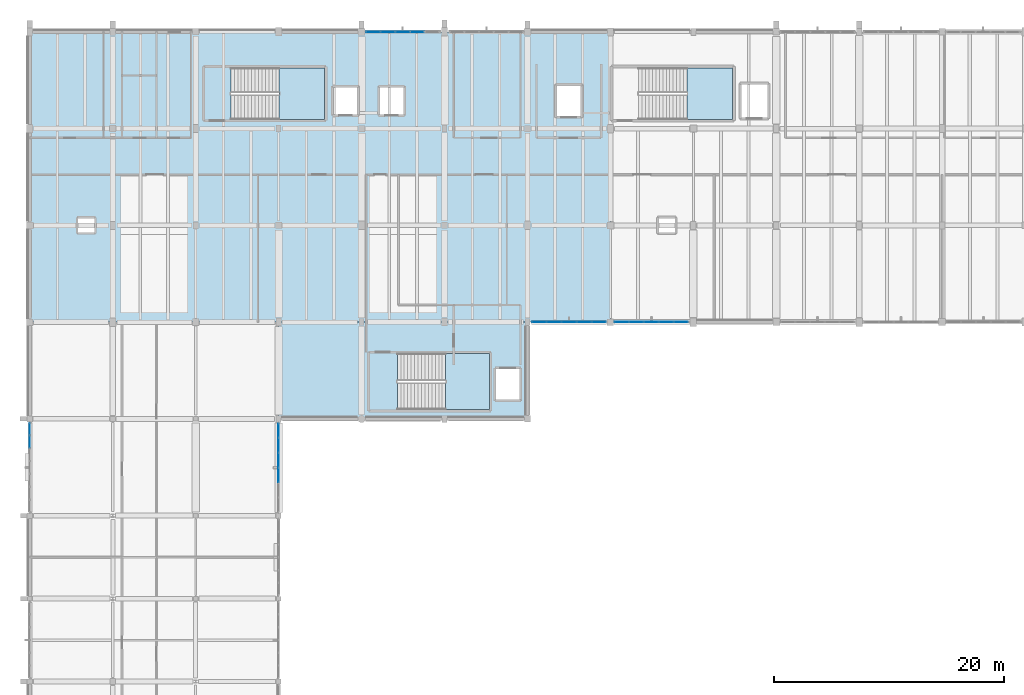
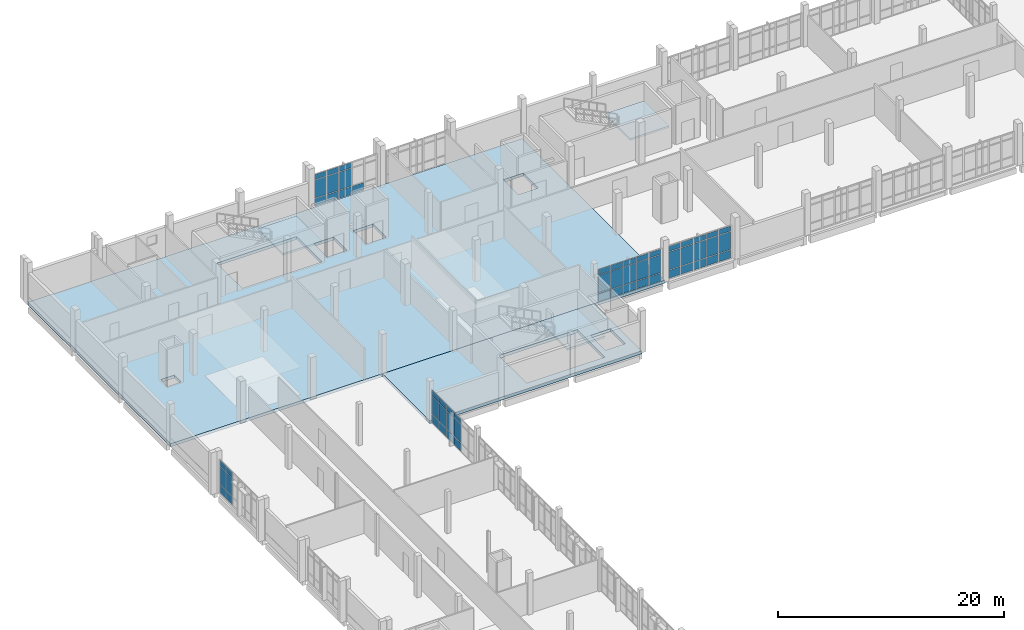
# One storey, part 48 of 62: 58 plates, 5 slabs, 8 elements without a shape of their own.
"""IFC4 building model written with IfcOpenShell, lengths in metres."""

import ifcopenshell
import ifcopenshell.guid

model = None  # the IFC model being written
_history = None  # IfcOwnerHistory: only IFC2X3 demands one
_inside = {}  # id of a spatial element -> (the spatial element, [elements in it])
_under = {}  # id of a project, library or spatial element -> (it, [spatial elements below it])
_declared = {}  # id of a project -> (the project, [libraries it declares])
_typed = {}  # id of a type object -> (the type object, [elements of that type])
_made_of = {}  # id of a material, layer set ... -> (it, [elements and type objects made of it])


def new_model(schema):
    """Start an empty IFC model of exactly this schema.

    Asked for "IFC4X3", IfcOpenShell would pick the latest addendum, in which some entities
    have other attributes; the version numbers below select the first issue.
    IFC2X3 requires an IfcOwnerHistory on every rooted entity: one is made here for all.
    """
    global model, _history
    if schema == "IFC4X3":
        model = ifcopenshell.file(schema_version=(4, 3, 0, 0))
    else:
        model = ifcopenshell.file(schema=schema)
    _inside.clear()
    _under.clear()
    _declared.clear()
    _typed.clear()
    _made_of.clear()
    _history = None
    if model.schema == "IFC2X3":
        org = make("IfcOrganization", Name="unknown")
        user = make(
            "IfcPersonAndOrganization",
            ThePerson=make("IfcPerson", FamilyName="unknown"),
            TheOrganization=org,
        )
        app = make(
            "IfcApplication",
            ApplicationDeveloper=org,
            Version="unknown",
            ApplicationFullName="unknown",
            ApplicationIdentifier="unknown",
        )
        _history = make(
            "IfcOwnerHistory",
            OwningUser=user,
            OwningApplication=app,
            ChangeAction="ADDED",
            CreationDate=0,
        )
    return model


def make(cls, **values):
    """One entity of the class cls with the attributes given. An attribute that is None is left unset."""
    return model.create_entity(
        cls, **{name: value for name, value in values.items() if value is not None}
    )


def rooted(cls, **values):
    """An entity with a GlobalId (a new one), such as an element, a storey or a relation."""
    return make(cls, GlobalId=ifcopenshell.guid.new(), OwnerHistory=_history, **values)


def si_unit(unit_type, name, prefix=None):
    """IfcSIUnit, for example si_unit("LENGTHUNIT", "METRE", prefix="MILLI")."""
    return make("IfcSIUnit", UnitType=unit_type, Prefix=prefix, Name=name)


def assignment(units):
    """IfcUnitAssignment: the units of a project."""
    return None if units is None else make("IfcUnitAssignment", Units=units)


def point(xyz):
    """IfcCartesianPoint."""
    return None if xyz is None else make("IfcCartesianPoint", Coordinates=xyz)


def direction(xyz):
    """IfcDirection."""
    return None if xyz is None else make("IfcDirection", DirectionRatios=xyz)


def frame(location, z_axis=None, x_axis=None):
    """IfcAxis2Placement3D, a coordinate frame: its origin and axes. An axis left out is left unset."""
    return make(
        "IfcAxis2Placement3D",
        Location=point(location),
        Axis=direction(z_axis),
        RefDirection=direction(x_axis),
    )


def frame_2d(location, x_axis=None):
    """IfcAxis2Placement2D, a coordinate frame in the plane: its origin and x axis."""
    return make(
        "IfcAxis2Placement2D", Location=point(location), RefDirection=direction(x_axis)
    )


def origin():
    """The frame at (0, 0, 0) with its axes left unset."""
    return frame((0.0, 0.0, 0.0))


def origin_2d():
    """The frame at (0, 0) in the plane with its x axis left unset."""
    return frame_2d((0.0, 0.0))


def place(relative_to, where):
    """IfcLocalPlacement: puts the frame where relative to a parent placement (None: the world)."""
    return make(
        "IfcLocalPlacement", PlacementRelTo=relative_to, RelativePlacement=where
    )


def context(
    kind, dimensions, precision=None, world=None, true_north=None, identifier=None
):
    """IfcGeometricRepresentationContext, for example the 3D "Model" context."""
    return make(
        "IfcGeometricRepresentationContext",
        ContextIdentifier=identifier,
        ContextType=kind,
        CoordinateSpaceDimension=dimensions,
        Precision=precision,
        WorldCoordinateSystem=world,
        TrueNorth=true_north,
    )


def subcontext(parent, identifier, kind, view, scale=None):
    """IfcGeometricRepresentationSubContext, for example "Body" below "Model"."""
    return make(
        "IfcGeometricRepresentationSubContext",
        ContextIdentifier=identifier,
        ContextType=kind,
        ParentContext=parent,
        TargetScale=scale,
        TargetView=view,
    )


def project(units=None, contexts=None):
    """IfcProject with its units and contexts."""
    return rooted(
        "IfcProject",
        Name="project",
        RepresentationContexts=contexts,
        UnitsInContext=assignment(units),
    )


def spatial(cls, under=None, at=None, **own):
    """A site, building, storey or space (cls), placed at a placement, below another one or the project."""
    s = rooted(cls, ObjectPlacement=at, **own)
    if under is not None:
        _under.setdefault(under.id(), (under, []))[1].append(s)
    return s


def polyline(points):
    """IfcPolyline through the points."""
    return make("IfcPolyline", Points=[point(p) for p in points])


def profile(cls, at=None, kind="AREA", **sizes):
    """A parametric profile (cls). Its sizes go by their IFC names, for example OverallWidth=200.0."""
    return make(cls, ProfileType=kind, Position=at, **sizes)


def rectangle(**sizes):
    """IfcRectangleProfileDef."""
    return profile("IfcRectangleProfileDef", **sizes)


def outline(outer, holes=None, kind="AREA"):
    """IfcArbitraryClosedProfileDef: a profile drawn as a closed curve; with holes, ...WithVoids."""
    if holes is None:
        return make("IfcArbitraryClosedProfileDef", ProfileType=kind, OuterCurve=outer)
    return make(
        "IfcArbitraryProfileDefWithVoids",
        ProfileType=kind,
        OuterCurve=outer,
        InnerCurves=holes,
    )


def extrude(swept, where, along, depth):
    """IfcExtrudedAreaSolid: the profile swept, set in the frame where, extruded along a direction by depth."""
    return make(
        "IfcExtrudedAreaSolid",
        SweptArea=swept,
        Position=where,
        ExtrudedDirection=direction(along),
        Depth=depth,
    )


def shape(context_of_items, identifier, shape_type, items):
    """IfcShapeRepresentation: the items that make up one representation, for example the "Body"."""
    return make(
        "IfcShapeRepresentation",
        ContextOfItems=context_of_items,
        RepresentationIdentifier=identifier,
        RepresentationType=shape_type,
        Items=items,
    )


def material(Name=None, Category=None):
    """IfcMaterial."""
    return make("IfcMaterial", Name=Name, Category=Category)


def layer(
    of_material, thickness, ventilated=None, Name=None, Category=None, Priority=None
):
    """IfcMaterialLayer: one layer of a wall or slab, of a material (None: an air gap)."""
    return make(
        "IfcMaterialLayer",
        Material=of_material,
        LayerThickness=thickness,
        IsVentilated=ventilated,
        Name=Name,
        Category=Category,
        Priority=Priority,
    )


def layer_set(layers, Name=None):
    """IfcMaterialLayerSet."""
    return make("IfcMaterialLayerSet", MaterialLayers=layers, LayerSetName=Name)


def made_of(thing, what):
    """Note that an element or type object is made of a material, layer set ...; save() writes the relation."""
    if what is not None:
        _made_of.setdefault(what.id(), (what, []))[1].append(thing)
    return thing


def type_object(cls, material=None, **own):
    """A type object (cls), such as IfcWallType, which elements share."""
    return made_of(rooted(cls, **own), material)


def element(
    cls,
    number,
    at=None,
    inside=None,
    cuts=None,
    type_object=None,
    material=None,
    context=None,
    identifier="Body",
    shape_type=None,
    held_by="IfcProductDefinitionShape",
    body=None,
    shapes=None,
    **own,
):
    """One element of the class cls, such as IfcWall. Its Tag is "e" and its number.

    at: its placement. inside: the storey or other place that contains it. cuts: it is an
    opening in that element (IfcRelVoidsElement). A single representation is given by context,
    identifier, shape_type and body (its items); several are given by shapes. held_by: the class
    of the entity that holds the representations. save() writes the other relations.
    """
    e = rooted(cls, Tag="e%d" % number, ObjectPlacement=at, **own)
    if body is not None:
        shapes = [shape(context, identifier, shape_type, body)]
    if shapes is not None:
        e.Representation = make(held_by, Representations=shapes)
    if inside is not None:
        _inside.setdefault(inside.id(), (inside, []))[1].append(e)
    if cuts is not None:
        rooted(
            "IfcRelVoidsElement", RelatingBuildingElement=cuts, RelatedOpeningElement=e
        )
    if type_object is not None:
        _typed.setdefault(type_object.id(), (type_object, []))[1].append(e)
    return made_of(e, material)


def aggregate(whole, parts):
    """IfcRelAggregates: a whole, such as a stair, and the parts it consists of."""
    return rooted("IfcRelAggregates", RelatingObject=whole, RelatedObjects=parts)


def save(model, path):
    """Write the relations noted so far, then the file.

    IfcRelAggregates (storeys below a building ...), IfcRelContainedInSpatialStructure (elements
    in a storey), IfcRelDefinesByType, IfcRelAssociatesMaterial and IfcRelDeclares: one each for
    every whole, place, type object, material and project.
    """
    for whole, parts in _under.values():
        aggregate(whole, parts)
    for where, things in _inside.values():
        rooted(
            "IfcRelContainedInSpatialStructure",
            RelatedElements=things,
            RelatingStructure=where,
        )
    for kind, things in _typed.values():
        rooted("IfcRelDefinesByType", RelatedObjects=things, RelatingType=kind)
    for what, things in _made_of.values():
        rooted("IfcRelAssociatesMaterial", RelatedObjects=things, RelatingMaterial=what)
    for by, libraries in _declared.values():
        rooted("IfcRelDeclares", RelatingContext=by, RelatedDefinitions=libraries)
    model.write(path)


model = new_model("IFC4")

# Units and contexts
model_context = context("Model", 3, precision=1e-05, world=origin(), true_north=direction((0.0, 1.0)))
body_context = subcontext(model_context, "Body", "Model", "MODEL_VIEW")
ifc_project = project(units=[si_unit("LENGTHUNIT", "METRE"), si_unit("AREAUNIT", "SQUARE_METRE"), si_unit("VOLUMEUNIT", "CUBIC_METRE"), si_unit("PLANEANGLEUNIT", "RADIAN"), si_unit("MASSUNIT", "GRAM", prefix="KILO")], contexts=[model_context])

# Site, building, storey
site_placement = place(None, origin())
site = spatial("IfcSite", under=ifc_project, at=site_placement, CompositionType="ELEMENT")
building_placement = place(site_placement, origin())
building = spatial("IfcBuilding", under=site, at=building_placement, Name="Kalluvel Institute of Natural Sciences", CompositionType="ELEMENT")
storey_placement = place(building_placement, frame((0.0, 0.0, 27.89990234375)))
storey = spatial("IfcBuildingStorey", under=building, at=storey_placement, Name="L06", CompositionType="ELEMENT", Elevation=27.89990234375)

# Curtain wall, plates
ifc_material_1 = material(Name="Aluminium AW-6063 T6", Category="aluminium")
curtain_wall_type_1 = type_object("IfcCurtainWallType", Name="CW-WET-45", PredefinedType="USERDEFINED", material=ifc_material_1)
curtain_wall_1_placement = place(storey_placement, origin())
curtain_wall_1 = element("IfcCurtainWall", 1, at=curtain_wall_1_placement, inside=storey, type_object=curtain_wall_type_1, Name="L06 Gothic lancet curtain wall CWA-L06-X432-Y1280", ObjectType="UNITISED LANCET FACADE", PredefinedType="USERDEFINED")
ifc_material_2 = material(Name="Solar-Control Low-E Laminated Glass", Category="glass")
ifc_layer_1 = layer(ifc_material_2, 0.028076171875)
ifc_layer_set_1 = layer_set([ifc_layer_1], Name="Solar-Control Low-E Laminated Glass")
plate_type = type_object("IfcPlateType", Name="CWP-DGU-28", PredefinedType="CURTAIN_PANEL", material=ifc_layer_set_1)
plate_1_placement = place(storey_placement, frame((43.8076171875, 128.0, 0.06005859375), z_axis=(0.0, 0.0, 1.0), x_axis=(1.0, 0.0, 0.0)))
plate_1 = element("IfcPlate", 2, at=plate_1_placement, type_object=plate_type, Name="CW-01 panel 1.1", PredefinedType="CURTAIN_PANEL", context=body_context, shape_type="SweptSolid", body=[
    extrude(rectangle(XDim=1.195068359375, YDim=0.028076171875, at=origin_2d()), origin(), (0.0, 0.0, 1.0), 0.860107421875),
])
plate_2_placement = place(storey_placement, frame((43.8076171875, 128.0, 0.980224609375), z_axis=(0.0, 0.0, 1.0), x_axis=(1.0, 0.0, 0.0)))
plate_2 = element("IfcPlate", 3, at=plate_2_placement, type_object=plate_type, Name="CW-01 panel 1.2", PredefinedType="CURTAIN_PANEL", context=body_context, shape_type="SweptSolid", body=[
    extrude(rectangle(XDim=1.195068359375, YDim=0.028076171875, at=origin_2d()), origin(), (0.0, 0.0, 1.0), 1.919921875),
])
plate_3_placement = place(storey_placement, frame((43.8076171875, 128.0, 2.9599609375), z_axis=(0.0, 0.0, 1.0), x_axis=(1.0, 0.0, 0.0)))
plate_3 = element("IfcPlate", 4, at=plate_3_placement, type_object=plate_type, Name="CW-01 panel 1.3", PredefinedType="CURTAIN_PANEL", context=body_context, shape_type="SweptSolid", body=[
    extrude(rectangle(XDim=1.195068359375, YDim=0.028076171875, at=origin_2d()), origin(), (0.0, 0.0, 1.0), 0.56005859375),
])
plate_4_placement = place(storey_placement, frame((45.077392578125, 128.0, 0.06005859375), z_axis=(0.0, 0.0, 1.0), x_axis=(1.0, 0.0, 0.0)))
plate_4 = element("IfcPlate", 5, at=plate_4_placement, type_object=plate_type, Name="CW-01 panel 2.1", PredefinedType="CURTAIN_PANEL", context=body_context, shape_type="SweptSolid", body=[
    extrude(rectangle(XDim=1.22509765625, YDim=0.028076171875, at=origin_2d()), origin(), (0.0, 0.0, 1.0), 0.860107421875),
])
plate_5_placement = place(storey_placement, frame((45.077392578125, 128.0, 0.980224609375), z_axis=(0.0, 0.0, 1.0), x_axis=(1.0, 0.0, 0.0)))
plate_5 = element("IfcPlate", 6, at=plate_5_placement, type_object=plate_type, Name="CW-01 panel 2.2", PredefinedType="CURTAIN_PANEL", context=body_context, shape_type="SweptSolid", body=[
    extrude(rectangle(XDim=1.22509765625, YDim=0.028076171875, at=origin_2d()), origin(), (0.0, 0.0, 1.0), 1.919921875),
])
plate_6_placement = place(storey_placement, frame((45.077392578125, 128.0, 2.9599609375), z_axis=(0.0, 0.0, 1.0), x_axis=(1.0, 0.0, 0.0)))
plate_6 = element("IfcPlate", 7, at=plate_6_placement, type_object=plate_type, Name="CW-01 panel 2.3", PredefinedType="CURTAIN_PANEL", context=body_context, shape_type="SweptSolid", body=[
    extrude(rectangle(XDim=1.22509765625, YDim=0.028076171875, at=origin_2d()), origin(), (0.0, 0.0, 1.0), 0.56005859375),
])
plate_7_placement = place(storey_placement, frame((46.362548828125, 128.0, 0.06005859375), z_axis=(0.0, 0.0, 1.0), x_axis=(1.0, 0.0, 0.0)))
plate_7 = element("IfcPlate", 8, at=plate_7_placement, type_object=plate_type, Name="CW-01 panel 3.1", PredefinedType="CURTAIN_PANEL", context=body_context, shape_type="SweptSolid", body=[
    extrude(rectangle(XDim=1.22509765625, YDim=0.028076171875, at=origin_2d()), origin(), (0.0, 0.0, 1.0), 0.860107421875),
])
plate_8_placement = place(storey_placement, frame((46.362548828125, 128.0, 0.980224609375), z_axis=(0.0, 0.0, 1.0), x_axis=(1.0, 0.0, 0.0)))
plate_8 = element("IfcPlate", 9, at=plate_8_placement, type_object=plate_type, Name="CW-01 panel 3.2", PredefinedType="CURTAIN_PANEL", context=body_context, shape_type="SweptSolid", body=[
    extrude(rectangle(XDim=1.22509765625, YDim=0.028076171875, at=origin_2d()), origin(), (0.0, 0.0, 1.0), 1.919921875),
])
plate_9_placement = place(storey_placement, frame((46.362548828125, 128.0, 2.9599609375), z_axis=(0.0, 0.0, 1.0), x_axis=(1.0, 0.0, 0.0)))
plate_9 = element("IfcPlate", 10, at=plate_9_placement, type_object=plate_type, Name="CW-01 panel 3.3", PredefinedType="CURTAIN_PANEL", context=body_context, shape_type="SweptSolid", body=[
    extrude(rectangle(XDim=1.22509765625, YDim=0.028076171875, at=origin_2d()), origin(), (0.0, 0.0, 1.0), 0.56005859375),
])
plate_10_placement = place(storey_placement, frame((47.6474609375, 128.0, 0.06005859375), z_axis=(0.0, 0.0, 1.0), x_axis=(1.0, 0.0, 0.0)))
plate_10 = element("IfcPlate", 11, at=plate_10_placement, type_object=plate_type, Name="CW-01 panel 4.1", PredefinedType="CURTAIN_PANEL", context=body_context, shape_type="SweptSolid", body=[
    extrude(rectangle(XDim=1.22509765625, YDim=0.028076171875, at=origin_2d()), origin(), (0.0, 0.0, 1.0), 0.860107421875),
])
aggregate(curtain_wall_1, [plate_1, plate_2, plate_3, plate_4, plate_5, plate_6, plate_7, plate_8, plate_9, plate_10])

curtain_wall_2_placement = place(storey_placement, origin())
curtain_wall_2 = element("IfcCurtainWall", 12, at=curtain_wall_2_placement, inside=storey, type_object=curtain_wall_type_1, Name="L06 Gothic lancet curtain wall CWA-L06-X576-Y1028", ObjectType="UNITISED LANCET FACADE", PredefinedType="USERDEFINED")
plate_11_placement = place(storey_placement, frame((58.217529296875, 102.800048828125, 0.06005859375), z_axis=(0.0, 0.0, 1.0), x_axis=(1.0, 0.0, 0.0)))
plate_11 = element("IfcPlate", 13, at=plate_11_placement, type_object=plate_type, Name="CW-01 panel 1.1", PredefinedType="CURTAIN_PANEL", context=body_context, shape_type="SweptSolid", body=[
    extrude(rectangle(XDim=1.215087890625, YDim=0.028076171875, at=origin_2d()), origin(), (0.0, 0.0, 1.0), 0.860107421875),
])
plate_12_placement = place(storey_placement, frame((58.217529296875, 102.800048828125, 0.980224609375), z_axis=(0.0, 0.0, 1.0), x_axis=(1.0, 0.0, 0.0)))
plate_12 = element("IfcPlate", 14, at=plate_12_placement, type_object=plate_type, Name="CW-01 panel 1.2", PredefinedType="CURTAIN_PANEL", context=body_context, shape_type="SweptSolid", body=[
    extrude(rectangle(XDim=1.215087890625, YDim=0.028076171875, at=origin_2d()), origin(), (0.0, 0.0, 1.0), 1.919921875),
])
plate_13_placement = place(storey_placement, frame((58.217529296875, 102.800048828125, 2.9599609375), z_axis=(0.0, 0.0, 1.0), x_axis=(1.0, 0.0, 0.0)))
plate_13 = element("IfcPlate", 15, at=plate_13_placement, type_object=plate_type, Name="CW-01 panel 1.3", PredefinedType="CURTAIN_PANEL", context=body_context, shape_type="SweptSolid", body=[
    extrude(rectangle(XDim=1.215087890625, YDim=0.028076171875, at=origin_2d()), origin(), (0.0, 0.0, 1.0), 0.56005859375),
])
plate_14_placement = place(storey_placement, frame((59.507568359375, 102.800048828125, 0.06005859375), z_axis=(0.0, 0.0, 1.0), x_axis=(1.0, 0.0, 0.0)))
plate_14 = element("IfcPlate", 16, at=plate_14_placement, type_object=plate_type, Name="CW-01 panel 2.1", PredefinedType="CURTAIN_PANEL", context=body_context, shape_type="SweptSolid", body=[
    extrude(rectangle(XDim=1.2451171875, YDim=0.028076171875, at=origin_2d()), origin(), (0.0, 0.0, 1.0), 0.860107421875),
])
plate_15_placement = place(storey_placement, frame((59.507568359375, 102.800048828125, 0.980224609375), z_axis=(0.0, 0.0, 1.0), x_axis=(1.0, 0.0, 0.0)))
plate_15 = element("IfcPlate", 17, at=plate_15_placement, type_object=plate_type, Name="CW-01 panel 2.2", PredefinedType="CURTAIN_PANEL", context=body_context, shape_type="SweptSolid", body=[
    extrude(rectangle(XDim=1.2451171875, YDim=0.028076171875, at=origin_2d()), origin(), (0.0, 0.0, 1.0), 1.919921875),
])
plate_16_placement = place(storey_placement, frame((59.507568359375, 102.800048828125, 2.9599609375), z_axis=(0.0, 0.0, 1.0), x_axis=(1.0, 0.0, 0.0)))
plate_16 = element("IfcPlate", 18, at=plate_16_placement, type_object=plate_type, Name="CW-01 panel 2.3", PredefinedType="CURTAIN_PANEL", context=body_context, shape_type="SweptSolid", body=[
    extrude(rectangle(XDim=1.2451171875, YDim=0.028076171875, at=origin_2d()), origin(), (0.0, 0.0, 1.0), 0.56005859375),
])
plate_17_placement = place(storey_placement, frame((60.8125, 102.800048828125, 0.06005859375), z_axis=(0.0, 0.0, 1.0), x_axis=(1.0, 0.0, 0.0)))
plate_17 = element("IfcPlate", 19, at=plate_17_placement, type_object=plate_type, Name="CW-01 panel 3.1", PredefinedType="CURTAIN_PANEL", context=body_context, shape_type="SweptSolid", body=[
    extrude(rectangle(XDim=1.2451171875, YDim=0.028076171875, at=origin_2d()), origin(), (0.0, 0.0, 1.0), 0.860107421875),
])
plate_18_placement = place(storey_placement, frame((60.8125, 102.800048828125, 0.980224609375), z_axis=(0.0, 0.0, 1.0), x_axis=(1.0, 0.0, 0.0)))
plate_18 = element("IfcPlate", 20, at=plate_18_placement, type_object=plate_type, Name="CW-01 panel 3.2", PredefinedType="CURTAIN_PANEL", context=body_context, shape_type="SweptSolid", body=[
    extrude(rectangle(XDim=1.2451171875, YDim=0.028076171875, at=origin_2d()), origin(), (0.0, 0.0, 1.0), 1.919921875),
])
plate_19_placement = place(storey_placement, frame((60.8125, 102.800048828125, 2.9599609375), z_axis=(0.0, 0.0, 1.0), x_axis=(1.0, 0.0, 0.0)))
plate_19 = element("IfcPlate", 21, at=plate_19_placement, type_object=plate_type, Name="CW-01 panel 3.3", PredefinedType="CURTAIN_PANEL", context=body_context, shape_type="SweptSolid", body=[
    extrude(rectangle(XDim=1.2451171875, YDim=0.028076171875, at=origin_2d()), origin(), (0.0, 0.0, 1.0), 0.56005859375),
])
plate_20_placement = place(storey_placement, frame((62.117431640625, 102.800048828125, 0.06005859375), z_axis=(0.0, 0.0, 1.0), x_axis=(1.0, 0.0, 0.0)))
plate_20 = element("IfcPlate", 22, at=plate_20_placement, type_object=plate_type, Name="CW-01 panel 4.1", PredefinedType="CURTAIN_PANEL", context=body_context, shape_type="SweptSolid", body=[
    extrude(rectangle(XDim=1.2451171875, YDim=0.028076171875, at=origin_2d()), origin(), (0.0, 0.0, 1.0), 0.860107421875),
])
plate_21_placement = place(storey_placement, frame((62.117431640625, 102.800048828125, 0.980224609375), z_axis=(0.0, 0.0, 1.0), x_axis=(1.0, 0.0, 0.0)))
plate_21 = element("IfcPlate", 23, at=plate_21_placement, type_object=plate_type, Name="CW-01 panel 4.2", PredefinedType="CURTAIN_PANEL", context=body_context, shape_type="SweptSolid", body=[
    extrude(rectangle(XDim=1.2451171875, YDim=0.028076171875, at=origin_2d()), origin(), (0.0, 0.0, 1.0), 1.919921875),
])
plate_22_placement = place(storey_placement, frame((62.117431640625, 102.800048828125, 2.9599609375), z_axis=(0.0, 0.0, 1.0), x_axis=(1.0, 0.0, 0.0)))
plate_22 = element("IfcPlate", 24, at=plate_22_placement, type_object=plate_type, Name="CW-01 panel 4.3", PredefinedType="CURTAIN_PANEL", context=body_context, shape_type="SweptSolid", body=[
    extrude(rectangle(XDim=1.2451171875, YDim=0.028076171875, at=origin_2d()), origin(), (0.0, 0.0, 1.0), 0.56005859375),
])
plate_23_placement = place(storey_placement, frame((63.407470703125, 102.800048828125, 0.06005859375), z_axis=(0.0, 0.0, 1.0), x_axis=(1.0, 0.0, 0.0)))
plate_23 = element("IfcPlate", 25, at=plate_23_placement, type_object=plate_type, Name="CW-01 panel 5.1", PredefinedType="CURTAIN_PANEL", context=body_context, shape_type="SweptSolid", body=[
    extrude(rectangle(XDim=1.215087890625, YDim=0.028076171875, at=origin_2d()), origin(), (0.0, 0.0, 1.0), 0.860107421875),
])
plate_24_placement = place(storey_placement, frame((63.407470703125, 102.800048828125, 0.980224609375), z_axis=(0.0, 0.0, 1.0), x_axis=(1.0, 0.0, 0.0)))
plate_24 = element("IfcPlate", 26, at=plate_24_placement, type_object=plate_type, Name="CW-01 panel 5.2", PredefinedType="CURTAIN_PANEL", context=body_context, shape_type="SweptSolid", body=[
    extrude(rectangle(XDim=1.215087890625, YDim=0.028076171875, at=origin_2d()), origin(), (0.0, 0.0, 1.0), 1.919921875),
])
plate_25_placement = place(storey_placement, frame((63.407470703125, 102.800048828125, 2.9599609375), z_axis=(0.0, 0.0, 1.0), x_axis=(1.0, 0.0, 0.0)))
plate_25 = element("IfcPlate", 27, at=plate_25_placement, type_object=plate_type, Name="CW-01 panel 5.3", PredefinedType="CURTAIN_PANEL", context=body_context, shape_type="SweptSolid", body=[
    extrude(rectangle(XDim=1.215087890625, YDim=0.028076171875, at=origin_2d()), origin(), (0.0, 0.0, 1.0), 0.56005859375),
])
aggregate(curtain_wall_2, [plate_11, plate_12, plate_13, plate_14, plate_15, plate_16, plate_17, plate_18, plate_19, plate_20, plate_21, plate_22, plate_23, plate_24, plate_25])

curtain_wall_3_placement = place(storey_placement, origin())
curtain_wall_3 = element("IfcCurtainWall", 28, at=curtain_wall_3_placement, inside=storey, type_object=curtain_wall_type_1, Name="L06 Gothic lancet curtain wall CWA-L06-X647-Y1028", ObjectType="UNITISED LANCET FACADE", PredefinedType="USERDEFINED")
plate_26_placement = place(storey_placement, frame((65.385009765625, 102.800048828125, 0.06005859375), z_axis=(0.0, 0.0, 1.0), x_axis=(1.0, 0.0, 0.0)))
plate_26 = element("IfcPlate", 29, at=plate_26_placement, type_object=plate_type, Name="CW-01 panel 1.1", PredefinedType="CURTAIN_PANEL", context=body_context, shape_type="SweptSolid", body=[
    extrude(rectangle(XDim=1.199951171875, YDim=0.028076171875, at=origin_2d()), origin(), (0.0, 0.0, 1.0), 0.860107421875),
])
plate_27_placement = place(storey_placement, frame((65.385009765625, 102.800048828125, 0.980224609375), z_axis=(0.0, 0.0, 1.0), x_axis=(1.0, 0.0, 0.0)))
plate_27 = element("IfcPlate", 30, at=plate_27_placement, type_object=plate_type, Name="CW-01 panel 1.2", PredefinedType="CURTAIN_PANEL", context=body_context, shape_type="SweptSolid", body=[
    extrude(rectangle(XDim=1.199951171875, YDim=0.028076171875, at=origin_2d()), origin(), (0.0, 0.0, 1.0), 1.919921875),
])
plate_28_placement = place(storey_placement, frame((65.385009765625, 102.800048828125, 2.9599609375), z_axis=(0.0, 0.0, 1.0), x_axis=(1.0, 0.0, 0.0)))
plate_28 = element("IfcPlate", 31, at=plate_28_placement, type_object=plate_type, Name="CW-01 panel 1.3", PredefinedType="CURTAIN_PANEL", context=body_context, shape_type="SweptSolid", body=[
    extrude(rectangle(XDim=1.199951171875, YDim=0.028076171875, at=origin_2d()), origin(), (0.0, 0.0, 1.0), 0.56005859375),
])
plate_29_placement = place(storey_placement, frame((66.659912109375, 102.800048828125, 0.06005859375), z_axis=(0.0, 0.0, 1.0), x_axis=(1.0, 0.0, 0.0)))
plate_29 = element("IfcPlate", 32, at=plate_29_placement, type_object=plate_type, Name="CW-01 panel 2.1", PredefinedType="CURTAIN_PANEL", context=body_context, shape_type="SweptSolid", body=[
    extrude(rectangle(XDim=1.22998046875, YDim=0.028076171875, at=origin_2d()), origin(), (0.0, 0.0, 1.0), 0.860107421875),
])
plate_30_placement = place(storey_placement, frame((66.659912109375, 102.800048828125, 0.980224609375), z_axis=(0.0, 0.0, 1.0), x_axis=(1.0, 0.0, 0.0)))
plate_30 = element("IfcPlate", 33, at=plate_30_placement, type_object=plate_type, Name="CW-01 panel 2.2", PredefinedType="CURTAIN_PANEL", context=body_context, shape_type="SweptSolid", body=[
    extrude(rectangle(XDim=1.22998046875, YDim=0.028076171875, at=origin_2d()), origin(), (0.0, 0.0, 1.0), 1.919921875),
])
plate_31_placement = place(storey_placement, frame((66.659912109375, 102.800048828125, 2.9599609375), z_axis=(0.0, 0.0, 1.0), x_axis=(1.0, 0.0, 0.0)))
plate_31 = element("IfcPlate", 34, at=plate_31_placement, type_object=plate_type, Name="CW-01 panel 2.3", PredefinedType="CURTAIN_PANEL", context=body_context, shape_type="SweptSolid", body=[
    extrude(rectangle(XDim=1.22998046875, YDim=0.028076171875, at=origin_2d()), origin(), (0.0, 0.0, 1.0), 0.56005859375),
])
plate_32_placement = place(storey_placement, frame((67.949951171875, 102.800048828125, 0.06005859375), z_axis=(0.0, 0.0, 1.0), x_axis=(1.0, 0.0, 0.0)))
plate_32 = element("IfcPlate", 35, at=plate_32_placement, type_object=plate_type, Name="CW-01 panel 3.1", PredefinedType="CURTAIN_PANEL", context=body_context, shape_type="SweptSolid", body=[
    extrude(rectangle(XDim=1.22998046875, YDim=0.028076171875, at=origin_2d()), origin(), (0.0, 0.0, 1.0), 0.860107421875),
])
plate_33_placement = place(storey_placement, frame((67.949951171875, 102.800048828125, 0.980224609375), z_axis=(0.0, 0.0, 1.0), x_axis=(1.0, 0.0, 0.0)))
plate_33 = element("IfcPlate", 36, at=plate_33_placement, type_object=plate_type, Name="CW-01 panel 3.2", PredefinedType="CURTAIN_PANEL", context=body_context, shape_type="SweptSolid", body=[
    extrude(rectangle(XDim=1.22998046875, YDim=0.028076171875, at=origin_2d()), origin(), (0.0, 0.0, 1.0), 1.919921875),
])
plate_34_placement = place(storey_placement, frame((67.949951171875, 102.800048828125, 2.9599609375), z_axis=(0.0, 0.0, 1.0), x_axis=(1.0, 0.0, 0.0)))
plate_34 = element("IfcPlate", 37, at=plate_34_placement, type_object=plate_type, Name="CW-01 panel 3.3", PredefinedType="CURTAIN_PANEL", context=body_context, shape_type="SweptSolid", body=[
    extrude(rectangle(XDim=1.22998046875, YDim=0.028076171875, at=origin_2d()), origin(), (0.0, 0.0, 1.0), 0.56005859375),
])
plate_35_placement = place(storey_placement, frame((69.239990234375, 102.800048828125, 0.06005859375), z_axis=(0.0, 0.0, 1.0), x_axis=(1.0, 0.0, 0.0)))
plate_35 = element("IfcPlate", 38, at=plate_35_placement, type_object=plate_type, Name="CW-01 panel 4.1", PredefinedType="CURTAIN_PANEL", context=body_context, shape_type="SweptSolid", body=[
    extrude(rectangle(XDim=1.22998046875, YDim=0.028076171875, at=origin_2d()), origin(), (0.0, 0.0, 1.0), 0.860107421875),
])
plate_36_placement = place(storey_placement, frame((69.239990234375, 102.800048828125, 0.980224609375), z_axis=(0.0, 0.0, 1.0), x_axis=(1.0, 0.0, 0.0)))
plate_36 = element("IfcPlate", 39, at=plate_36_placement, type_object=plate_type, Name="CW-01 panel 4.2", PredefinedType="CURTAIN_PANEL", context=body_context, shape_type="SweptSolid", body=[
    extrude(rectangle(XDim=1.22998046875, YDim=0.028076171875, at=origin_2d()), origin(), (0.0, 0.0, 1.0), 1.919921875),
])
plate_37_placement = place(storey_placement, frame((69.239990234375, 102.800048828125, 2.9599609375), z_axis=(0.0, 0.0, 1.0), x_axis=(1.0, 0.0, 0.0)))
plate_37 = element("IfcPlate", 40, at=plate_37_placement, type_object=plate_type, Name="CW-01 panel 4.3", PredefinedType="CURTAIN_PANEL", context=body_context, shape_type="SweptSolid", body=[
    extrude(rectangle(XDim=1.22998046875, YDim=0.028076171875, at=origin_2d()), origin(), (0.0, 0.0, 1.0), 0.56005859375),
])
plate_38_placement = place(storey_placement, frame((70.514892578125, 102.800048828125, 0.06005859375), z_axis=(0.0, 0.0, 1.0), x_axis=(1.0, 0.0, 0.0)))
plate_38 = element("IfcPlate", 41, at=plate_38_placement, type_object=plate_type, Name="CW-01 panel 5.1", PredefinedType="CURTAIN_PANEL", context=body_context, shape_type="SweptSolid", body=[
    extrude(rectangle(XDim=1.199951171875, YDim=0.028076171875, at=origin_2d()), origin(), (0.0, 0.0, 1.0), 0.860107421875),
])
plate_39_placement = place(storey_placement, frame((70.514892578125, 102.800048828125, 0.980224609375), z_axis=(0.0, 0.0, 1.0), x_axis=(1.0, 0.0, 0.0)))
plate_39 = element("IfcPlate", 42, at=plate_39_placement, type_object=plate_type, Name="CW-01 panel 5.2", PredefinedType="CURTAIN_PANEL", context=body_context, shape_type="SweptSolid", body=[
    extrude(rectangle(XDim=1.199951171875, YDim=0.028076171875, at=origin_2d()), origin(), (0.0, 0.0, 1.0), 1.919921875),
])
plate_40_placement = place(storey_placement, frame((70.514892578125, 102.800048828125, 2.9599609375), z_axis=(0.0, 0.0, 1.0), x_axis=(1.0, 0.0, 0.0)))
plate_40 = element("IfcPlate", 43, at=plate_40_placement, type_object=plate_type, Name="CW-01 panel 5.3", PredefinedType="CURTAIN_PANEL", context=body_context, shape_type="SweptSolid", body=[
    extrude(rectangle(XDim=1.199951171875, YDim=0.028076171875, at=origin_2d()), origin(), (0.0, 0.0, 1.0), 0.56005859375),
])
aggregate(curtain_wall_3, [plate_26, plate_27, plate_28, plate_29, plate_30, plate_31, plate_32, plate_33, plate_34, plate_35, plate_36, plate_37, plate_38, plate_39, plate_40])

curtain_wall_type_2 = type_object("IfcCurtainWallType", Name="CW-DRY-45", PredefinedType="USERDEFINED", material=ifc_material_1)
curtain_wall_4_placement = place(storey_placement, origin())
curtain_wall_4 = element("IfcCurtainWall", 44, at=curtain_wall_4_placement, inside=storey, type_object=curtain_wall_type_2, Name="L06 Gothic lancet curtain wall CWA-L06-X140-Y863", ObjectType="UNITISED LANCET FACADE", PredefinedType="USERDEFINED")
plate_41_placement = place(storey_placement, frame((14.0, 92.423095703125, 0.06005859375), z_axis=(0.0, 0.0, 1.0), x_axis=(0.0, 1.0, 0.0)))
plate_41 = element("IfcPlate", 45, at=plate_41_placement, type_object=plate_type, Name="CW-03 panel 6.1", PredefinedType="CURTAIN_PANEL", context=body_context, shape_type="SweptSolid", body=[
    extrude(rectangle(XDim=1.057861328125, YDim=0.028076171875, at=origin_2d()), origin(), (0.0, 0.0, 1.0), 0.860107421875),
])
plate_42_placement = place(storey_placement, frame((14.0, 92.423095703125, 0.980224609375), z_axis=(0.0, 0.0, 1.0), x_axis=(0.0, 1.0, 0.0)))
plate_42 = element("IfcPlate", 46, at=plate_42_placement, type_object=plate_type, Name="CW-03 panel 6.2", PredefinedType="CURTAIN_PANEL", context=body_context, shape_type="SweptSolid", body=[
    extrude(rectangle(XDim=1.057861328125, YDim=0.028076171875, at=origin_2d()), origin(), (0.0, 0.0, 1.0), 1.9599609375),
])
plate_43_placement = place(storey_placement, frame((14.0, 92.423095703125, 3.0), z_axis=(0.0, 0.0, 1.0), x_axis=(0.0, 1.0, 0.0)))
plate_43 = element("IfcPlate", 47, at=plate_43_placement, type_object=plate_type, Name="CW-03 panel 6.3", PredefinedType="CURTAIN_PANEL", context=body_context, shape_type="SweptSolid", body=[
    extrude(rectangle(XDim=1.057861328125, YDim=0.028076171875, at=origin_2d()), origin(), (0.0, 0.0, 1.0), 0.56005859375),
])
plate_44_placement = place(storey_placement, frame((14.0, 93.526123046875, 0.06005859375), z_axis=(0.0, 0.0, 1.0), x_axis=(0.0, 1.0, 0.0)))
plate_44 = element("IfcPlate", 48, at=plate_44_placement, type_object=plate_type, Name="CW-03 panel 7.1", PredefinedType="CURTAIN_PANEL", context=body_context, shape_type="SweptSolid", body=[
    extrude(rectangle(XDim=1.02783203125, YDim=0.028076171875, at=origin_2d()), origin(), (0.0, 0.0, 1.0), 0.860107421875),
])
plate_45_placement = place(storey_placement, frame((14.0, 93.526123046875, 0.980224609375), z_axis=(0.0, 0.0, 1.0), x_axis=(0.0, 1.0, 0.0)))
plate_45 = element("IfcPlate", 49, at=plate_45_placement, type_object=plate_type, Name="CW-03 panel 7.2", PredefinedType="CURTAIN_PANEL", context=body_context, shape_type="SweptSolid", body=[
    extrude(rectangle(XDim=1.02783203125, YDim=0.028076171875, at=origin_2d()), origin(), (0.0, 0.0, 1.0), 1.9599609375),
])
plate_46_placement = place(storey_placement, frame((14.0, 93.526123046875, 3.0), z_axis=(0.0, 0.0, 1.0), x_axis=(0.0, 1.0, 0.0)))
plate_46 = element("IfcPlate", 50, at=plate_46_placement, type_object=plate_type, Name="CW-03 panel 7.3", PredefinedType="CURTAIN_PANEL", context=body_context, shape_type="SweptSolid", body=[
    extrude(rectangle(XDim=1.02783203125, YDim=0.028076171875, at=origin_2d()), origin(), (0.0, 0.0, 1.0), 0.56005859375),
])
aggregate(curtain_wall_4, [plate_41, plate_42, plate_43, plate_44, plate_45, plate_46])

curtain_wall_5_placement = place(storey_placement, origin())
curtain_wall_5 = element("IfcCurtainWall", 51, at=curtain_wall_5_placement, inside=storey, type_object=curtain_wall_type_2, Name="L06 Gothic lancet curtain wall CWA-L06-X356-Y863", ObjectType="UNITISED LANCET FACADE", PredefinedType="USERDEFINED")
plate_47_placement = place(storey_placement, frame((35.60009765625, 89.5146484375, 0.06005859375), z_axis=(0.0, 0.0, 1.0), x_axis=(0.0, 1.0, 0.0)))
plate_47 = element("IfcPlate", 52, at=plate_47_placement, type_object=plate_type, Name="CW-03 panel 3.1", PredefinedType="CURTAIN_PANEL", context=body_context, shape_type="SweptSolid", body=[
    extrude(rectangle(XDim=1.23583984375, YDim=0.028076171875, at=origin_2d()), origin(), (0.0, 0.0, 1.0), 0.860107421875),
])
plate_48_placement = place(storey_placement, frame((35.60009765625, 89.5146484375, 0.980224609375), z_axis=(0.0, 0.0, 1.0), x_axis=(0.0, 1.0, 0.0)))
plate_48 = element("IfcPlate", 53, at=plate_48_placement, type_object=plate_type, Name="CW-03 panel 3.2", PredefinedType="CURTAIN_PANEL", context=body_context, shape_type="SweptSolid", body=[
    extrude(rectangle(XDim=1.23583984375, YDim=0.028076171875, at=origin_2d()), origin(), (0.0, 0.0, 1.0), 1.9599609375),
])
plate_49_placement = place(storey_placement, frame((35.60009765625, 89.5146484375, 3.0), z_axis=(0.0, 0.0, 1.0), x_axis=(0.0, 1.0, 0.0)))
plate_49 = element("IfcPlate", 54, at=plate_49_placement, type_object=plate_type, Name="CW-03 panel 3.3", PredefinedType="CURTAIN_PANEL", context=body_context, shape_type="SweptSolid", body=[
    extrude(rectangle(XDim=1.23583984375, YDim=0.028076171875, at=origin_2d()), origin(), (0.0, 0.0, 1.0), 0.56005859375),
])
plate_50_placement = place(storey_placement, frame((35.60009765625, 90.810302734375, 0.06005859375), z_axis=(0.0, 0.0, 1.0), x_axis=(0.0, 1.0, 0.0)))
plate_50 = element("IfcPlate", 55, at=plate_50_placement, type_object=plate_type, Name="CW-03 panel 4.1", PredefinedType="CURTAIN_PANEL", context=body_context, shape_type="SweptSolid", body=[
    extrude(rectangle(XDim=1.23583984375, YDim=0.028076171875, at=origin_2d()), origin(), (0.0, 0.0, 1.0), 0.860107421875),
])
plate_51_placement = place(storey_placement, frame((35.60009765625, 90.810302734375, 0.980224609375), z_axis=(0.0, 0.0, 1.0), x_axis=(0.0, 1.0, 0.0)))
plate_51 = element("IfcPlate", 56, at=plate_51_placement, type_object=plate_type, Name="CW-03 panel 4.2", PredefinedType="CURTAIN_PANEL", context=body_context, shape_type="SweptSolid", body=[
    extrude(rectangle(XDim=1.23583984375, YDim=0.028076171875, at=origin_2d()), origin(), (0.0, 0.0, 1.0), 1.9599609375),
])
plate_52_placement = place(storey_placement, frame((35.60009765625, 90.810302734375, 3.0), z_axis=(0.0, 0.0, 1.0), x_axis=(0.0, 1.0, 0.0)))
plate_52 = element("IfcPlate", 57, at=plate_52_placement, type_object=plate_type, Name="CW-03 panel 4.3", PredefinedType="CURTAIN_PANEL", context=body_context, shape_type="SweptSolid", body=[
    extrude(rectangle(XDim=1.23583984375, YDim=0.028076171875, at=origin_2d()), origin(), (0.0, 0.0, 1.0), 0.56005859375),
])
plate_53_placement = place(storey_placement, frame((35.60009765625, 92.106201171875, 0.06005859375), z_axis=(0.0, 0.0, 1.0), x_axis=(0.0, 1.0, 0.0)))
plate_53 = element("IfcPlate", 58, at=plate_53_placement, type_object=plate_type, Name="CW-03 panel 5.1", PredefinedType="CURTAIN_PANEL", context=body_context, shape_type="SweptSolid", body=[
    extrude(rectangle(XDim=1.23583984375, YDim=0.028076171875, at=origin_2d()), origin(), (0.0, 0.0, 1.0), 0.860107421875),
])
plate_54_placement = place(storey_placement, frame((35.60009765625, 92.106201171875, 0.980224609375), z_axis=(0.0, 0.0, 1.0), x_axis=(0.0, 1.0, 0.0)))
plate_54 = element("IfcPlate", 59, at=plate_54_placement, type_object=plate_type, Name="CW-03 panel 5.2", PredefinedType="CURTAIN_PANEL", context=body_context, shape_type="SweptSolid", body=[
    extrude(rectangle(XDim=1.23583984375, YDim=0.028076171875, at=origin_2d()), origin(), (0.0, 0.0, 1.0), 1.9599609375),
])
plate_55_placement = place(storey_placement, frame((35.60009765625, 92.106201171875, 3.0), z_axis=(0.0, 0.0, 1.0), x_axis=(0.0, 1.0, 0.0)))
plate_55 = element("IfcPlate", 60, at=plate_55_placement, type_object=plate_type, Name="CW-03 panel 5.3", PredefinedType="CURTAIN_PANEL", context=body_context, shape_type="SweptSolid", body=[
    extrude(rectangle(XDim=1.23583984375, YDim=0.028076171875, at=origin_2d()), origin(), (0.0, 0.0, 1.0), 0.56005859375),
])
plate_56_placement = place(storey_placement, frame((35.60009765625, 93.386962890625, 0.06005859375), z_axis=(0.0, 0.0, 1.0), x_axis=(0.0, 1.0, 0.0)))
plate_56 = element("IfcPlate", 61, at=plate_56_placement, type_object=plate_type, Name="CW-03 panel 6.1", PredefinedType="CURTAIN_PANEL", context=body_context, shape_type="SweptSolid", body=[
    extrude(rectangle(XDim=1.205810546875, YDim=0.028076171875, at=origin_2d()), origin(), (0.0, 0.0, 1.0), 0.860107421875),
])
plate_57_placement = place(storey_placement, frame((35.60009765625, 93.386962890625, 0.980224609375), z_axis=(0.0, 0.0, 1.0), x_axis=(0.0, 1.0, 0.0)))
plate_57 = element("IfcPlate", 62, at=plate_57_placement, type_object=plate_type, Name="CW-03 panel 6.2", PredefinedType="CURTAIN_PANEL", context=body_context, shape_type="SweptSolid", body=[
    extrude(rectangle(XDim=1.205810546875, YDim=0.028076171875, at=origin_2d()), origin(), (0.0, 0.0, 1.0), 1.9599609375),
])
plate_58_placement = place(storey_placement, frame((35.60009765625, 93.386962890625, 3.0), z_axis=(0.0, 0.0, 1.0), x_axis=(0.0, 1.0, 0.0)))
plate_58 = element("IfcPlate", 63, at=plate_58_placement, type_object=plate_type, Name="CW-03 panel 6.3", PredefinedType="CURTAIN_PANEL", context=body_context, shape_type="SweptSolid", body=[
    extrude(rectangle(XDim=1.205810546875, YDim=0.028076171875, at=origin_2d()), origin(), (0.0, 0.0, 1.0), 0.56005859375),
])
aggregate(curtain_wall_5, [plate_47, plate_48, plate_49, plate_50, plate_51, plate_52, plate_53, plate_54, plate_55, plate_56, plate_57, plate_58])

# Slabs
ifc_material_3 = material(Name="Concrete M40", Category="concrete")
ifc_layer_2 = layer(ifc_material_3, 0.320068359375)
ifc_layer_set_2 = layer_set([ifc_layer_2], Name="Concrete M40")
slab_type_1 = type_object("IfcSlabType", Name="SLB-WET-320", PredefinedType="FLOOR", material=ifc_layer_set_2)
slab_1_placement = place(storey_placement, frame((0.0, 0.0, -0.31982421875)))
element("IfcSlab", 64, at=slab_1_placement, inside=storey, type_object=slab_type_1, Name="L06 Wet Laboratory Waffle Floor Slab W", PredefinedType="FLOOR", context=body_context, shape_type="SweptSolid", body=[
    extrude(outline(polyline([(14.0, 102.800048828125), (64.39990234375, 102.800048828125), (64.39990234375, 128.0), (14.0, 128.0), (14.0, 102.800048828125)]), holes=[polyline([(61.820068359375, 120.679931640625), (59.780029296875, 120.679931640625), (59.780029296875, 123.320068359375), (61.820068359375, 123.320068359375), (61.820068359375, 120.679931640625)]), polyline([(46.419921875, 123.169921875), (46.419921875, 120.830078125), (44.3798828125, 120.830078125), (44.3798828125, 123.169921875), (46.419921875, 123.169921875)]), polyline([(42.419921875, 123.169921875), (42.419921875, 120.830078125), (40.3798828125, 120.830078125), (40.3798828125, 123.169921875), (42.419921875, 123.169921875)]), polyline([(39.60009765625, 120.39990234375), (31.468017578125, 120.39990234375), (31.468017578125, 124.8701171875), (39.60009765625, 124.8701171875), (39.60009765625, 120.39990234375)]), polyline([(19.60009765625, 111.800048828125), (19.60009765625, 110.60009765625), (18.199951171875, 110.60009765625), (18.199951171875, 111.800048828125), (19.60009765625, 111.800048828125)])]), origin(), (0.0, 0.0, 1.0), 0.31982421875),
])
slab_2_placement = place(storey_placement, frame((0.0, 0.0, -0.31982421875)))
element("IfcSlab", 65, at=slab_2_placement, inside=storey, type_object=slab_type_1, Name="L06 Fire-Tower Knuckle Lobby Slab", PredefinedType="FLOOR", context=body_context, shape_type="SweptSolid", body=[
    extrude(outline(polyline([(35.60009765625, 94.39990234375), (57.199951171875, 94.39990234375), (57.199951171875, 102.800048828125), (35.60009765625, 102.800048828125), (35.60009765625, 94.39990234375)]), holes=[polyline([(54.47998046875, 98.719970703125), (56.52001953125, 98.719970703125), (56.52001953125, 96.080078125), (54.47998046875, 96.080078125), (54.47998046875, 98.719970703125)]), polyline([(45.91796875, 100.070068359375), (53.89990234375, 100.070068359375), (53.89990234375, 95.199951171875), (45.91796875, 95.199951171875), (45.91796875, 100.070068359375)])]), origin(), (0.0, 0.0, 1.0), 0.31982421875),
])

# Stair, slab
stair_type_1 = type_object("IfcStairType", Name="STR-ST12-45", PredefinedType="HALF_TURN_STAIR", material=ifc_material_3)
stair_1_placement = place(storey_placement, origin())
stair_1 = element("IfcStair", 66, at=stair_1_placement, inside=storey, type_object=stair_type_1, Name="L06 Wet Wing West Protected Exit Stair ST1", PredefinedType="HALF_TURN_STAIR")
ifc_layer_3 = layer(ifc_material_3, 0.199951171875)
ifc_layer_set_3 = layer_set([ifc_layer_3], Name="Concrete M40")
slab_type_2 = type_object("IfcSlabType", Name="SLD-ST12", PredefinedType="LANDING", material=ifc_layer_set_3)
slab_3_placement = place(storey_placement, frame((0.0, 0.0, 2.050048828125)))
slab_3 = element("IfcSlab", 67, at=slab_3_placement, type_object=slab_type_2, Name="S1-45 landing 1", PredefinedType="LANDING", context=body_context, shape_type="SweptSolid", body=[
    extrude(outline(polyline([(35.632080078125, 120.39990234375), (39.60009765625, 120.39990234375), (39.60009765625, 124.8701171875), (35.632080078125, 124.8701171875), (35.632080078125, 120.39990234375)])), origin(), (0.0, 0.0, 1.0), 0.199951171875),
])
aggregate(stair_1, [slab_3])

stair_2_placement = place(storey_placement, origin())
stair_2 = element("IfcStair", 68, at=stair_2_placement, inside=storey, type_object=stair_type_1, Name="L06 Wet Wing East Protected Exit Stair ST2", PredefinedType="HALF_TURN_STAIR")
slab_4_placement = place(storey_placement, frame((0.0, 0.0, 2.050048828125)))
slab_4 = element("IfcSlab", 69, at=slab_4_placement, type_object=slab_type_2, Name="S1-45 landing 1", PredefinedType="LANDING", context=body_context, shape_type="SweptSolid", body=[
    extrude(outline(polyline([(71.031982421875, 120.39990234375), (75.0, 120.39990234375), (75.0, 124.8701171875), (71.031982421875, 124.8701171875), (71.031982421875, 120.39990234375)])), origin(), (0.0, 0.0, 1.0), 0.199951171875),
])
aggregate(stair_2, [slab_4])

stair_type_2 = type_object("IfcStairType", Name="STR-ST3-45", PredefinedType="HALF_TURN_STAIR", material=ifc_material_3)
stair_3_placement = place(storey_placement, origin())
stair_3 = element("IfcStair", 70, at=stair_3_placement, inside=storey, type_object=stair_type_2, Name="L06 Central Fire-Tower Protected Stair ST3", PredefinedType="HALF_TURN_STAIR")
ifc_layer_4 = layer(ifc_material_3, 0.199951171875)
ifc_layer_set_4 = layer_set([ifc_layer_4], Name="Concrete M40")
slab_type_3 = type_object("IfcSlabType", Name="SLD-ST3", PredefinedType="LANDING", material=ifc_layer_set_4)
slab_5_placement = place(storey_placement, frame((0.0, 0.0, 2.050048828125)))
slab_5 = element("IfcSlab", 71, at=slab_5_placement, type_object=slab_type_3, Name="S3-45 landing 1", PredefinedType="LANDING", context=body_context, shape_type="SweptSolid", body=[
    extrude(outline(polyline([(50.08203125, 95.199951171875), (53.89990234375, 95.199951171875), (53.89990234375, 100.070068359375), (50.08203125, 100.070068359375), (50.08203125, 95.199951171875)])), origin(), (0.0, 0.0, 1.0), 0.199951171875),
])
aggregate(stair_3, [slab_5])

save(model, "model.ifc")
